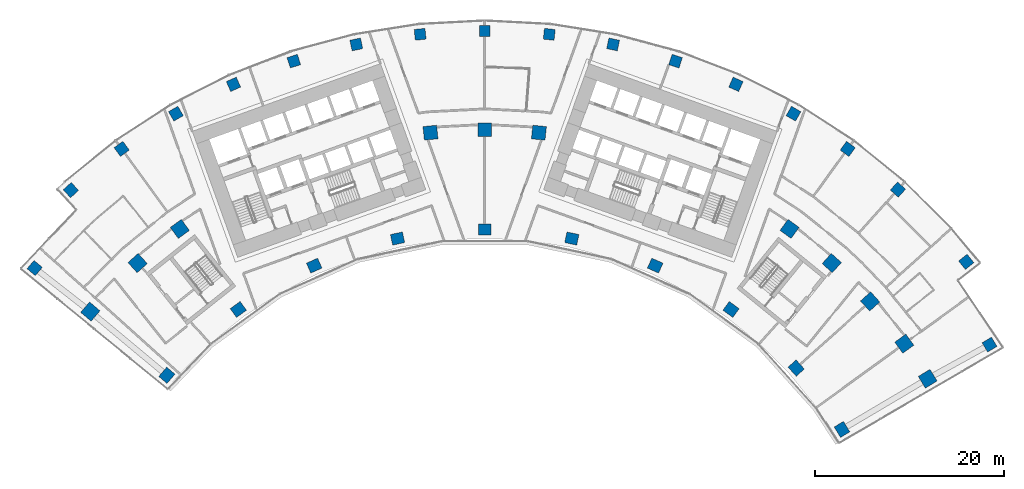
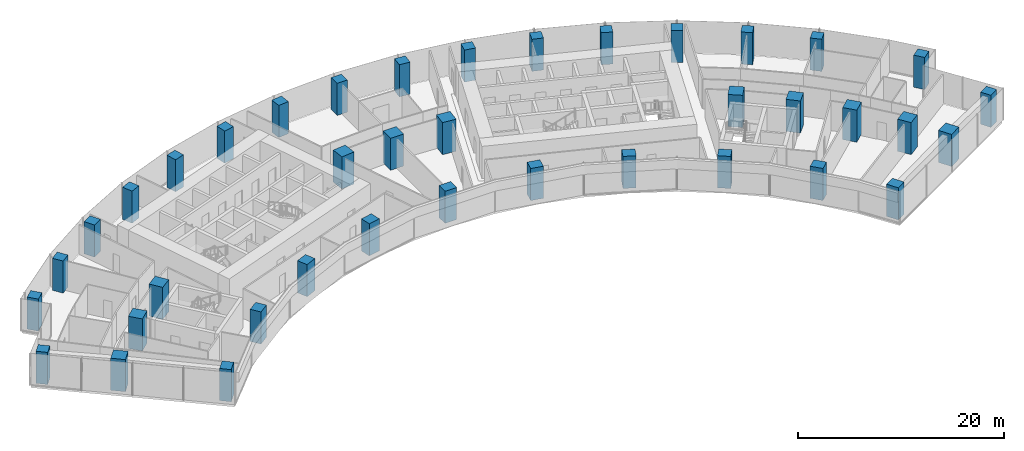
# One storey, part 1 of 20: 39 columns.
"""IFC4 building model written with IfcOpenShell, lengths in metres."""

from ifc_helpers import new_model, si_unit, direction, frame, origin, origin_2d, place, context, subcontext, project, spatial, rectangle, extrude, material, material_profile, profile_set, type_object, element, save


model = new_model("IFC4")

# Units and contexts
model_context = context("Model", 3, precision=1e-05, world=origin(), true_north=direction((0.0, 1.0)))
body_context = subcontext(model_context, "Body", "Model", "MODEL_VIEW")
ifc_project = project(units=[si_unit("LENGTHUNIT", "METRE"), si_unit("AREAUNIT", "SQUARE_METRE"), si_unit("VOLUMEUNIT", "CUBIC_METRE"), si_unit("PLANEANGLEUNIT", "RADIAN"), si_unit("MASSUNIT", "GRAM", prefix="KILO")], contexts=[model_context])

# Site, building, storey
site_placement = place(None, origin())
site = spatial("IfcSite", under=ifc_project, at=site_placement, CompositionType="ELEMENT")
building_placement = place(site_placement, origin())
building = spatial("IfcBuilding", under=site, at=building_placement, Name="Stone Belt Terrace Tower", CompositionType="ELEMENT")
storey_placement = place(building_placement, frame((0.0, 0.0, 106.0)))
storey = spatial("IfcBuildingStorey", under=building, at=storey_placement, Name="L25", CompositionType="ELEMENT", Elevation=106.0)

# Columns
ifc_material = material(Name="Concrete B80", Category="concrete")
ifc_material_profile_1 = material_profile(ifc_material, rectangle(XDim=1.14990234375, YDim=1.14990234375, at=origin_2d()), Name="RC 1150x1150")
ifc_profile_set_1 = profile_set([ifc_material_profile_1], Name="Concrete B80")
column_type_1 = type_object("IfcColumnType", Name="Column RC 1150x1150 B80", PredefinedType="COLUMN", material=ifc_profile_set_1)
for number, where, z_axis, x_axis, name in (
    (1, (-47.71826171875, 40.34619140625, 0.0), (0.0, 0.0, 1.0), (0.645656294153, 0.763628148918, 0.0), "Column L25 RA"),
    (2, (53.53662109375, 32.228515625, 0.0), (0.0, 0.0, 1.0), (0.515750011733, -0.856739123303, 0.0), "Column L25 RB"),
    (3, (-43.87939453125, 48.614501953125, 0.0), (0.0, 0.0, 1.0), (0.742333790389, 0.67003025577, 0.0), "Column L25 RNA"),
    (4, (-38.493408203125, 52.981689453125, 0.0), (0.0, 0.0, 1.0), (0.809016994375, 0.587785252292, 0.0), "Column L25 R16"),
    (5, (-32.744384765625, 56.715087890625, 0.0), (0.0, 0.0, 1.0), (0.866025403784, 0.5, 0.0), "Column L25 R17"),
    (6, (-26.63671875, 59.8271484375, 0.0), (0.0, 0.0, 1.0), (0.913545457643, 0.406736643076, 0.0), "Column L25 R18"),
    (7, (-20.2373046875, 62.28369140625, 0.0), (0.0, 0.0, 1.0), (0.951056516295, 0.309016994375, 0.0), "Column L25 R19"),
    (8, (-13.615966796875, 64.057861328125, 0.0), (0.0, 0.0, 1.0), (0.978147600734, 0.207911690818, 0.0), "Column L25 R20"),
    (9, (-6.845458984375, 65.130126953125, 0.0), (0.0, 0.0, 1.0), (0.994521895368, 0.104528463268, 0.0), "Column L25 R21"),
    (10, (0.0, 65.489013671875, 0.0), (0.0, 0.0, 1.0), (1.0, 0.0, 0.0), "Column L25 R22"),
    (11, (6.845458984375, 65.130126953125, 0.0), (0.0, 0.0, 1.0), (0.994521895368, -0.104528463268, 0.0), "Column L25 R23"),
    (12, (13.615966796875, 64.057861328125, 0.0), (0.0, 0.0, 1.0), (0.978147600734, -0.207911690818, 0.0), "Column L25 R24"),
    (13, (20.2373046875, 62.28369140625, 0.0), (0.0, 0.0, 1.0), (0.951056516295, -0.309016994375, 0.0), "Column L25 R25"),
    (14, (26.63671875, 59.8271484375, 0.0), (0.0, 0.0, 1.0), (0.913545457643, -0.406736643076, 0.0), "Column L25 R26"),
    (15, (32.744384765625, 56.715087890625, 0.0), (0.0, 0.0, 1.0), (0.866025403784, -0.5, 0.0), "Column L25 R27"),
    (16, (38.493408203125, 52.981689453125, 0.0), (0.0, 0.0, 1.0), (0.809016994375, -0.587785252292, 0.0), "Column L25 R28"),
    (17, (43.820556640625, 48.667724609375, 0.0), (0.0, 0.0, 1.0), (0.743144825477, -0.669130606359, 0.0), "Column L25 R29"),
    (18, (51.064208984375, 41.002685546875, 0.0), (0.0, 0.0, 1.0), (0.626104488961, -0.779739167224, 0.0), "Column L25 RNB"),
):
    element("IfcColumn", number, at=place(storey_placement, frame(where, z_axis=z_axis, x_axis=x_axis)), inside=storey, type_object=column_type_1, Name=name, PredefinedType="COLUMN", context=body_context, shape_type="SweptSolid", body=[
        extrude(rectangle(XDim=1.14990234375, YDim=1.14990234375, at=origin_2d()), origin(), (0.0, 0.0, 1.0), 3.800048828125),
    ])
ifc_material_profile_2 = material_profile(ifc_material, rectangle(XDim=1.300048828125, YDim=1.14990234375, at=origin_2d()), Name="RC 1300x1150")
ifc_profile_set_2 = profile_set([ifc_material_profile_2], Name="Concrete B80")
column_type_2 = type_object("IfcColumnType", Name="Column RC 1300x1150 B80", PredefinedType="COLUMN", material=ifc_profile_set_2)
for number, where, z_axis, x_axis, name in (
    (19, (-33.7021484375, 28.974365234375, 0.0), (0.0, 0.0, 1.0), (0.651917107608, 0.758290237843, 0.0), "Column L25 PA"),
    (20, (-26.1240234375, 35.956787109375, 0.0), (0.0, 0.0, 1.0), (0.809016994375, 0.587785252292, 0.0), "Column L25 P16"),
    (21, (-18.077392578125, 40.6025390625, 0.0), (0.0, 0.0, 1.0), (0.913545457643, 0.406736643076, 0.0), "Column L25 P18"),
    (22, (-9.240478515625, 43.473876953125, 0.0), (0.0, 0.0, 1.0), (0.978147600734, 0.207911690818, 0.0), "Column L25 P20"),
    (23, (0.0, 44.445068359375, 0.0), (0.0, 0.0, 1.0), (1.0, 0.0, 0.0), "Column L25 P22"),
    (24, (9.240478515625, 43.473876953125, 0.0), (0.0, 0.0, 1.0), (0.978147600734, -0.207911690818, 0.0), "Column L25 P24"),
    (25, (18.077392578125, 40.6025390625, 0.0), (0.0, 0.0, 1.0), (0.913545457643, -0.406736643076, 0.0), "Column L25 P26"),
    (26, (26.1240234375, 35.956787109375, 0.0), (0.0, 0.0, 1.0), (0.809016994375, -0.587785252292, 0.0), "Column L25 P28"),
    (27, (33.029052734375, 29.739501953125, 0.0), (0.0, 0.0, 1.0), (0.669130606359, -0.743144825477, 0.0), "Column L25 P30"),
    (28, (37.887939453125, 23.235107421875, 0.0), (0.0, 0.0, 1.0), (0.522781282168, -0.852466850391, 0.0), "Column L25 PB"),
):
    element("IfcColumn", number, at=place(storey_placement, frame(where, z_axis=z_axis, x_axis=x_axis)), inside=storey, type_object=column_type_2, Name=name, PredefinedType="COLUMN", context=body_context, shape_type="SweptSolid", body=[
        extrude(rectangle(XDim=1.300048828125, YDim=1.14990234375, at=origin_2d()), origin(), (0.0, 0.0, 1.0), 3.800048828125),
    ])
ifc_material_profile_3 = material_profile(ifc_material, rectangle(XDim=1.449951171875, YDim=1.449951171875, at=origin_2d()), Name="RC 1450x1450")
ifc_profile_set_3 = profile_set([ifc_material_profile_3], Name="Concrete B80")
column_type_3 = type_object("IfcColumnType", Name="Column RC 1450x1450 B80", PredefinedType="COLUMN", material=ifc_profile_set_3)
for number, where, z_axis, x_axis, name in (
    (29, (-41.814697265625, 35.728515625, 0.0), (0.0, 0.0, 1.0), (0.649608620058, 0.760268795063, 0.0), "Column L25 QA"),
    (30, (-36.80224609375, 40.873046875, 0.0), (0.0, 0.0, 1.0), (0.743144825477, 0.669130606359, 0.0), "Column L25 Q15"),
    (31, (-32.328125, 44.495849609375, 0.0), (0.0, 0.0, 1.0), (0.809016994375, 0.587785252292, 0.0), "Column L25 Q16"),
    (32, (-5.7490234375, 54.69873046875, 0.0), (0.0, 0.0, 1.0), (0.994521895368, 0.104528463268, 0.0), "Column L25 Q21"),
    (33, (0.0, 55.0, 0.0), (0.0, 0.0, 1.0), (1.0, 0.0, 0.0), "Column L25 Q22"),
    (34, (5.7490234375, 54.69873046875, 0.0), (0.0, 0.0, 1.0), (0.994521895368, -0.104528463268, 0.0), "Column L25 Q23"),
    (35, (32.328125, 44.495849609375, 0.0), (0.0, 0.0, 1.0), (0.809016994375, -0.587785252292, 0.0), "Column L25 Q28"),
    (36, (36.80224609375, 40.873046875, 0.0), (0.0, 0.0, 1.0), (0.743144825477, -0.669130606359, 0.0), "Column L25 Q29"),
    (37, (40.873046875, 36.80224609375, 0.0), (0.0, 0.0, 1.0), (0.669130606359, -0.743144825477, 0.0), "Column L25 Q30"),
    (38, (44.495849609375, 32.328125, 0.0), (0.0, 0.0, 1.0), (0.587785252292, -0.809016994375, 0.0), "Column L25 Q31"),
    (39, (46.972900390625, 28.610107421875, 0.0), (0.0, 0.0, 1.0), (0.520185570168, -0.854053260979, 0.0), "Column L25 QB"),
):
    element("IfcColumn", number, at=place(storey_placement, frame(where, z_axis=z_axis, x_axis=x_axis)), inside=storey, type_object=column_type_3, Name=name, PredefinedType="COLUMN", context=body_context, shape_type="SweptSolid", body=[
        extrude(rectangle(XDim=1.449951171875, YDim=1.449951171875, at=origin_2d()), origin(), (0.0, 0.0, 1.0), 3.800048828125),
    ])

save(model, "model.ifc")
